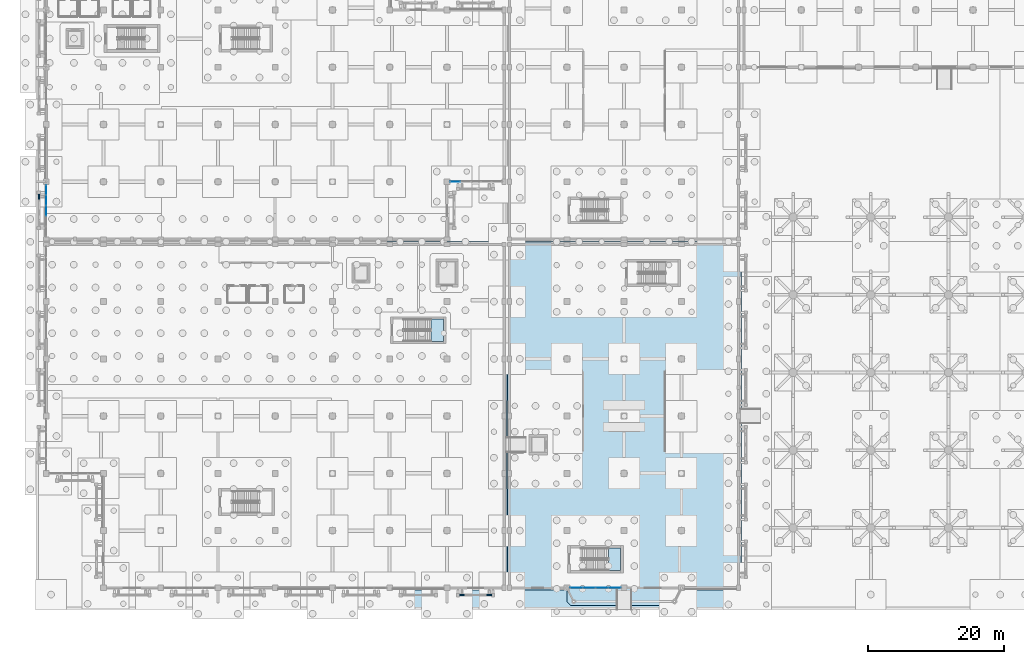
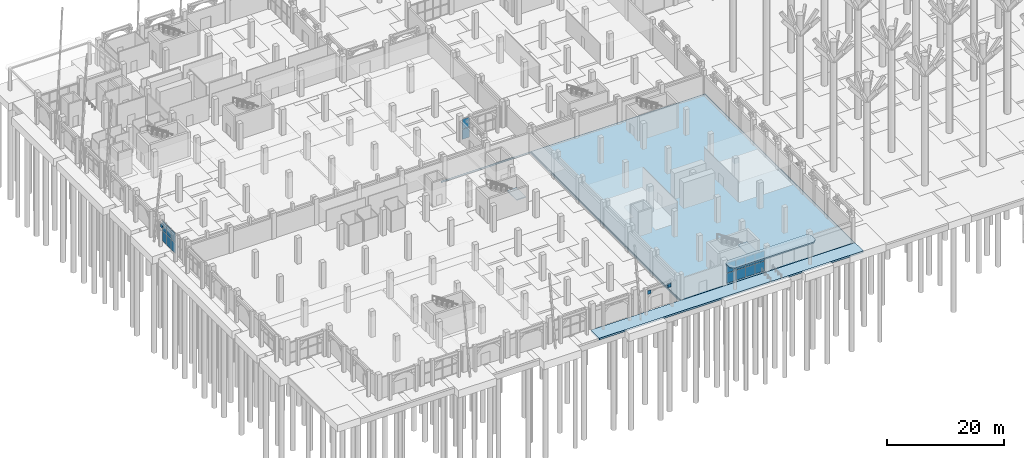
# One storey, part 51 of 98: 19 plates, 5 slabs, 5 elements without a shape of their own.
"""IFC4 building model written with IfcOpenShell, lengths in metres."""

from ifc_helpers import new_model, si_unit, direction, frame, origin, origin_2d, place, context, subcontext, project, spatial, polyline, rectangle, outline, extrude, material, layer, layer_set, type_object, element, aggregate, save


model = new_model("IFC4")

# Units and contexts
model_context = context("Model", 3, precision=1e-05, world=origin(), true_north=direction((0.0, 1.0)))
body_context = subcontext(model_context, "Body", "Model", "MODEL_VIEW")
ifc_project = project(units=[si_unit("LENGTHUNIT", "METRE"), si_unit("AREAUNIT", "SQUARE_METRE"), si_unit("VOLUMEUNIT", "CUBIC_METRE"), si_unit("PLANEANGLEUNIT", "RADIAN"), si_unit("MASSUNIT", "GRAM", prefix="KILO")], contexts=[model_context])

# Site, building, storey
site_placement = place(None, origin())
site = spatial("IfcSite", under=ifc_project, at=site_placement, CompositionType="ELEMENT")
building_placement = place(site_placement, origin())
building = spatial("IfcBuilding", under=site, at=building_placement, Name="Xazarin Passage Department Store", CompositionType="ELEMENT")
storey_placement = place(building_placement, origin())
storey = spatial("IfcBuildingStorey", under=building, at=storey_placement, Name="L00", CompositionType="ELEMENT", Elevation=0.0)

# Curtain wall, plates
ifc_material_1 = material(Name="Bronze anodised aluminium", Category="aluminium")
ifc_layer_1 = layer(ifc_material_1, 0.159912109375)
ifc_layer_set_1 = layer_set([ifc_layer_1], Name="Bronze anodised aluminium")
curtain_wall_type_1 = type_object("IfcCurtainWallType", Name="ARC-CW-ARC1", PredefinedType="NOTDEFINED", material=ifc_layer_set_1)
curtain_wall_1_placement = place(storey_placement, origin())
curtain_wall_1 = element("IfcCurtainWall", 1, at=curtain_wall_1_placement, inside=storey, type_object=curtain_wall_type_1, Name="L00 V2S Curtain Wall 099", PredefinedType="NOTDEFINED")
ifc_material_2 = material(Name="Low-E laminated safety glass", Category="glass")
ifc_layer_2 = layer(ifc_material_2, 0.028076171875)
ifc_layer_set_2 = layer_set([ifc_layer_2], Name="Low-E laminated safety glass")
plate_type_1 = type_object("IfcPlateType", Name="ARC-CWP-GLZ28", PredefinedType="CURTAIN_PANEL", material=ifc_layer_set_2)
plate_1_placement = place(storey_placement, frame((77.784912109375, 0.0, 0.06494140625), z_axis=(0.0, 0.0, 1.0), x_axis=(1.0, 0.0, 0.0)))
plate_1 = element("IfcPlate", 2, at=plate_1_placement, type_object=plate_type_1, Name="CW3 panel 1.1", PredefinedType="CURTAIN_PANEL", context=body_context, shape_type="SweptSolid", body=[
    extrude(rectangle(XDim=1.7900390625, YDim=0.028076171875, at=origin_2d()), origin(), (0.0, 0.0, 1.0), 2.077392578125),
])
plate_2_placement = place(storey_placement, frame((77.784912109375, 0.0, 2.20751953125), z_axis=(0.0, 0.0, 1.0), x_axis=(1.0, 0.0, 0.0)))
plate_2 = element("IfcPlate", 3, at=plate_2_placement, type_object=plate_type_1, Name="CW3 panel 1.2", PredefinedType="CURTAIN_PANEL", context=body_context, shape_type="SweptSolid", body=[
    extrude(rectangle(XDim=1.7900390625, YDim=0.028076171875, at=origin_2d()), origin(), (0.0, 0.0, 1.0), 2.077392578125),
])
plate_3_placement = place(storey_placement, frame((79.65625, 0.0, 0.06494140625), z_axis=(0.0, 0.0, 1.0), x_axis=(1.0, 0.0, 0.0)))
plate_3 = element("IfcPlate", 4, at=plate_3_placement, type_object=plate_type_1, Name="CW3 panel 2.1", PredefinedType="CURTAIN_PANEL", context=body_context, shape_type="SweptSolid", body=[
    extrude(rectangle(XDim=1.822509765625, YDim=0.028076171875, at=origin_2d()), origin(), (0.0, 0.0, 1.0), 2.077392578125),
])
plate_4_placement = place(storey_placement, frame((79.65625, 0.0, 2.20751953125), z_axis=(0.0, 0.0, 1.0), x_axis=(1.0, 0.0, 0.0)))
plate_4 = element("IfcPlate", 5, at=plate_4_placement, type_object=plate_type_1, Name="CW3 panel 2.2", PredefinedType="CURTAIN_PANEL", context=body_context, shape_type="SweptSolid", body=[
    extrude(rectangle(XDim=1.822509765625, YDim=0.028076171875, at=origin_2d()), origin(), (0.0, 0.0, 1.0), 2.077392578125),
])
plate_5_placement = place(storey_placement, frame((81.543701171875, 0.0, 0.06494140625), z_axis=(0.0, 0.0, 1.0), x_axis=(1.0, 0.0, 0.0)))
plate_5 = element("IfcPlate", 6, at=plate_5_placement, type_object=plate_type_1, Name="CW3 panel 3.1", PredefinedType="CURTAIN_PANEL", context=body_context, shape_type="SweptSolid", body=[
    extrude(rectangle(XDim=1.822509765625, YDim=0.028076171875, at=origin_2d()), origin(), (0.0, 0.0, 1.0), 2.077392578125),
])
plate_6_placement = place(storey_placement, frame((81.543701171875, 0.0, 2.20751953125), z_axis=(0.0, 0.0, 1.0), x_axis=(1.0, 0.0, 0.0)))
plate_6 = element("IfcPlate", 7, at=plate_6_placement, type_object=plate_type_1, Name="CW3 panel 3.2", PredefinedType="CURTAIN_PANEL", context=body_context, shape_type="SweptSolid", body=[
    extrude(rectangle(XDim=1.822509765625, YDim=0.028076171875, at=origin_2d()), origin(), (0.0, 0.0, 1.0), 2.077392578125),
])
plate_7_placement = place(storey_placement, frame((83.4150390625, 0.0, 0.06494140625), z_axis=(0.0, 0.0, 1.0), x_axis=(1.0, 0.0, 0.0)))
plate_7 = element("IfcPlate", 8, at=plate_7_placement, type_object=plate_type_1, Name="CW3 panel 4.1", PredefinedType="CURTAIN_PANEL", context=body_context, shape_type="SweptSolid", body=[
    extrude(rectangle(XDim=1.7900390625, YDim=0.028076171875, at=origin_2d()), origin(), (0.0, 0.0, 1.0), 2.077392578125),
])
plate_8_placement = place(storey_placement, frame((83.4150390625, 0.0, 2.20751953125), z_axis=(0.0, 0.0, 1.0), x_axis=(1.0, 0.0, 0.0)))
plate_8 = element("IfcPlate", 9, at=plate_8_placement, type_object=plate_type_1, Name="CW3 panel 4.2", PredefinedType="CURTAIN_PANEL", context=body_context, shape_type="SweptSolid", body=[
    extrude(rectangle(XDim=1.7900390625, YDim=0.028076171875, at=origin_2d()), origin(), (0.0, 0.0, 1.0), 2.077392578125),
])
aggregate(curtain_wall_1, [plate_1, plate_2, plate_3, plate_4, plate_5, plate_6, plate_7, plate_8])

ifc_layer_3 = layer(ifc_material_1, 0.179931640625)
ifc_layer_set_3 = layer_set([ifc_layer_3], Name="Bronze anodised aluminium")
curtain_wall_type_2 = type_object("IfcCurtainWallType", Name="ARC-CW-VIT1", PredefinedType="NOTDEFINED", material=ifc_layer_set_3)
curtain_wall_2_placement = place(storey_placement, origin())
curtain_wall_2 = element("IfcCurtainWall", 10, at=curtain_wall_2_placement, inside=storey, type_object=curtain_wall_type_2, Name="L00 V1 Curtain Wall 001", PredefinedType="NOTDEFINED")
ifc_layer_4 = layer(ifc_material_2, 0.031982421875)
ifc_layer_set_4 = layer_set([ifc_layer_4], Name="Low-E laminated safety glass")
plate_type_2 = type_object("IfcPlateType", Name="ARC-CWP-GLZ32", PredefinedType="CURTAIN_PANEL", material=ifc_layer_set_4)
plate_9_placement = place(storey_placement, frame((60.01123046875, 59.60009765625, 0.074951171875), z_axis=(0.0, 0.0, 1.0), x_axis=(1.0, 0.0, 0.0)))
plate_9 = element("IfcPlate", 11, at=plate_9_placement, type_object=plate_type_2, Name="CW1 panel 1.1", PredefinedType="CURTAIN_PANEL", context=body_context, shape_type="SweptSolid", body=[
    extrude(rectangle(XDim=1.422607421875, YDim=0.031982421875, at=origin_2d()), origin(), (0.0, 0.0, 1.0), 2.0625),
])
plate_10_placement = place(storey_placement, frame((60.01123046875, 59.60009765625, 2.21240234375), z_axis=(0.0, 0.0, 1.0), x_axis=(1.0, 0.0, 0.0)))
plate_10 = element("IfcPlate", 12, at=plate_10_placement, type_object=plate_type_2, Name="CW1 panel 1.2", PredefinedType="CURTAIN_PANEL", context=body_context, shape_type="SweptSolid", body=[
    extrude(rectangle(XDim=1.422607421875, YDim=0.031982421875, at=origin_2d()), origin(), (0.0, 0.0, 1.0), 2.0625),
])
aggregate(curtain_wall_2, [plate_9, plate_10])

curtain_wall_3_placement = place(storey_placement, origin())
curtain_wall_3 = element("IfcCurtainWall", 13, at=curtain_wall_3_placement, inside=storey, type_object=curtain_wall_type_2, Name="L00 V1 Curtain Wall 004", PredefinedType="NOTDEFINED")
plate_11_placement = place(storey_placement, frame((0.0, 55.33740234375, 0.074951171875), z_axis=(0.0, 0.0, 1.0), x_axis=(0.0, 1.0, 0.0)))
plate_11 = element("IfcPlate", 14, at=plate_11_placement, type_object=plate_type_2, Name="CW1 panel 3.1", PredefinedType="CURTAIN_PANEL", context=body_context, shape_type="SweptSolid", body=[
    extrude(rectangle(XDim=1.4599609375, YDim=0.031982421875, at=origin_2d()), origin(), (0.0, 0.0, 1.0), 2.0625),
])
plate_12_placement = place(storey_placement, frame((0.0, 55.33740234375, 2.21240234375), z_axis=(0.0, 0.0, 1.0), x_axis=(0.0, 1.0, 0.0)))
plate_12 = element("IfcPlate", 15, at=plate_12_placement, type_object=plate_type_2, Name="CW1 panel 3.2", PredefinedType="CURTAIN_PANEL", context=body_context, shape_type="SweptSolid", body=[
    extrude(rectangle(XDim=1.4599609375, YDim=0.031982421875, at=origin_2d()), origin(), (0.0, 0.0, 1.0), 2.0625),
])
plate_13_placement = place(storey_placement, frame((0.0, 56.87255859375, 0.074951171875), z_axis=(0.0, 0.0, 1.0), x_axis=(0.0, 1.0, 0.0)))
plate_13 = element("IfcPlate", 16, at=plate_13_placement, type_object=plate_type_2, Name="CW1 panel 4.1", PredefinedType="CURTAIN_PANEL", context=body_context, shape_type="SweptSolid", body=[
    extrude(rectangle(XDim=1.4599609375, YDim=0.031982421875, at=origin_2d()), origin(), (0.0, 0.0, 1.0), 2.0625),
])
plate_14_placement = place(storey_placement, frame((0.0, 56.87255859375, 2.21240234375), z_axis=(0.0, 0.0, 1.0), x_axis=(0.0, 1.0, 0.0)))
plate_14 = element("IfcPlate", 17, at=plate_14_placement, type_object=plate_type_2, Name="CW1 panel 4.2", PredefinedType="CURTAIN_PANEL", context=body_context, shape_type="SweptSolid", body=[
    extrude(rectangle(XDim=1.4599609375, YDim=0.031982421875, at=origin_2d()), origin(), (0.0, 0.0, 1.0), 2.0625),
])
plate_15_placement = place(storey_placement, frame((0.0, 58.388671875, 0.074951171875), z_axis=(0.0, 0.0, 1.0), x_axis=(0.0, 1.0, 0.0)))
plate_15 = element("IfcPlate", 18, at=plate_15_placement, type_object=plate_type_2, Name="CW1 panel 5.1", PredefinedType="CURTAIN_PANEL", context=body_context, shape_type="SweptSolid", body=[
    extrude(rectangle(XDim=1.422607421875, YDim=0.031982421875, at=origin_2d()), origin(), (0.0, 0.0, 1.0), 2.0625),
])
plate_16_placement = place(storey_placement, frame((0.0, 58.388671875, 2.21240234375), z_axis=(0.0, 0.0, 1.0), x_axis=(0.0, 1.0, 0.0)))
plate_16 = element("IfcPlate", 19, at=plate_16_placement, type_object=plate_type_2, Name="CW1 panel 5.2", PredefinedType="CURTAIN_PANEL", context=body_context, shape_type="SweptSolid", body=[
    extrude(rectangle(XDim=1.422607421875, YDim=0.031982421875, at=origin_2d()), origin(), (0.0, 0.0, 1.0), 2.0625),
])
aggregate(curtain_wall_3, [plate_11, plate_12, plate_13, plate_14, plate_15, plate_16])

# Plates
ifc_material_3 = material(Name="Precast concrete C40/50", Category="concrete")
ifc_layer_5 = layer(ifc_material_3, 0.199951171875)
ifc_layer_set_5 = layer_set([ifc_layer_5], Name="Precast concrete C40/50")
plate_type_3 = type_object("IfcPlateType", Name="ARC-PLT-SCR-13", PredefinedType="USERDEFINED", material=ifc_layer_set_5)
plate_17_placement = place(storey_placement, frame((-1.050048828125, 57.39990234375, 4.16015625), z_axis=(0.0, 0.0, 1.0), x_axis=(0.0, 1.0, 0.0)))
element("IfcPlate", 20, at=plate_17_placement, inside=storey, type_object=plate_type_3, Name="L00 V1 Arch Spandrel Tympanum 0074", ObjectType="SCREEN PANEL", PredefinedType="USERDEFINED", context=body_context, shape_type="SweptSolid", body=[
    extrude(rectangle(XDim=0.679931640625, YDim=0.199951171875, at=origin_2d()), origin(), (0.0, 0.0, 1.0), 0.719970703125),
])
ifc_layer_6 = layer(ifc_material_3, 0.219970703125)
ifc_layer_set_6 = layer_set([ifc_layer_6], Name="Precast concrete C40/50")
plate_type_4 = type_object("IfcPlateType", Name="ARC-PLT-SCR-15", PredefinedType="USERDEFINED", material=ifc_layer_set_6)
for number, where, z_axis, x_axis, name in (
    (21, (61.0, -1.050048828125, 4.16015625), (0.0, 0.0, 1.0), (1.0, 0.0, 0.0), "L00 V3 Arch Spandrel Tympanum 0255"),
    (22, (65.0, -1.050048828125, 4.16015625), (0.0, 0.0, 1.0), (1.0, 0.0, 0.0), "L00 V3 Arch Spandrel Tympanum 0256"),
):
    element("IfcPlate", number, at=place(storey_placement, frame(where, z_axis=z_axis, x_axis=x_axis)), inside=storey, type_object=plate_type_4, Name=name, ObjectType="SCREEN PANEL", PredefinedType="USERDEFINED", context=body_context, shape_type="SweptSolid", body=[
        extrude(rectangle(XDim=0.679931640625, YDim=0.219970703125, at=origin_2d()), origin(), (0.0, 0.0, 1.0), 0.719970703125),
    ])

# Slabs
ifc_material_4 = material(Name="Concrete C35/45", Category="concrete")
ifc_layer_7 = layer(ifc_material_4, 0.39990234375)
ifc_layer_set_7 = layer_set([ifc_layer_7], Name="Concrete C35/45")
slab_type_1 = type_object("IfcSlabType", Name="STR-SLB-BASE400", PredefinedType="BASESLAB", material=ifc_layer_set_7)
slab_1_placement = place(storey_placement, frame((0.0, 0.0, -0.39990234375)))
element("IfcSlab", 23, at=slab_1_placement, inside=storey, type_object=slab_type_1, Name="L00 V2S Structural Base Slab", PredefinedType="BASESLAB", context=body_context, shape_type="SweptSolid", body=[
    extrude(outline(polyline([(101.89990234375, 50.699951171875), (67.699951171875, 50.699951171875), (67.699951171875, -0.300048828125), (101.89990234375, -0.300048828125), (101.89990234375, 50.699951171875)])), origin(), (0.0, 0.0, 1.0), 0.39990234375),
])
ifc_material_5 = material(Name="Concrete C40/50", Category="concrete")
ifc_layer_8 = layer(ifc_material_5, 0.27001953125)
ifc_layer_set_8 = layer_set([ifc_layer_8], Name="Concrete C40/50")
slab_type_2 = type_object("IfcSlabType", Name="STR-SLB-CAN270", PredefinedType="ROOF", material=ifc_layer_set_8)
slab_2_placement = place(storey_placement, frame((0.0, 0.0, 4.530029296875)))
element("IfcSlab", 24, at=slab_2_placement, inside=storey, type_object=slab_type_2, Name="Entrance Canopy Slab CN2", PredefinedType="ROOF", context=body_context, shape_type="SweptSolid", body=[
    extrude(outline(polyline([(76.949951171875, -2.60009765625), (92.64990234375, -2.60009765625), (93.199951171875, -2.050048828125), (93.199951171875, -0.550048828125), (92.64990234375, 0.0), (76.949951171875, 0.0), (76.39990234375, -0.550048828125), (76.39990234375, -2.050048828125), (76.949951171875, -2.60009765625)])), origin(), (0.0, 0.0, 1.0), 0.27001953125),
])

# Stair, slab
stair_type = type_object("IfcStairType", Name="ARC-ST-L00", PredefinedType="HALF_TURN_STAIR", material=ifc_material_4)
stair_1_placement = place(storey_placement, origin())
stair_1 = element("IfcStair", 25, at=stair_1_placement, inside=storey, type_object=stair_type, Name="L00 Exit Stair ST4", PredefinedType="HALF_TURN_STAIR")
ifc_layer_9 = layer(ifc_material_4, 0.199951171875)
ifc_layer_set_9 = layer_set([ifc_layer_9], Name="Concrete C35/45")
slab_type_3 = type_object("IfcSlabType", Name="STR-SLB-LND200", PredefinedType="LANDING", material=ifc_layer_set_9)
slab_3_placement = place(storey_placement, frame((0.0, 0.0, 2.5)))
slab_3 = element("IfcSlab", 26, at=slab_3_placement, type_object=slab_type_3, Name="ST4 landing 1", PredefinedType="LANDING", context=body_context, shape_type="SweptSolid", body=[
    extrude(outline(polyline([(82.489990234375, 2.580078125), (84.300048828125, 2.580078125), (84.300048828125, 5.820068359375), (82.489990234375, 5.820068359375), (82.489990234375, 2.580078125)])), origin(), (0.0, 0.0, 1.0), 0.199951171875),
])
aggregate(stair_1, [slab_3])

stair_2_placement = place(storey_placement, origin())
stair_2 = element("IfcStair", 27, at=stair_2_placement, inside=storey, type_object=stair_type, Name="L00 Exit Stair ST9", PredefinedType="HALF_TURN_STAIR")
slab_4_placement = place(storey_placement, frame((0.0, 0.0, 2.5)))
slab_4 = element("IfcSlab", 28, at=slab_4_placement, type_object=slab_type_3, Name="ST9 landing 1", PredefinedType="LANDING", context=body_context, shape_type="SweptSolid", body=[
    extrude(outline(polyline([(56.489990234375, 36.179931640625), (58.300048828125, 36.179931640625), (58.300048828125, 39.419921875), (56.489990234375, 39.419921875), (56.489990234375, 36.179931640625)])), origin(), (0.0, 0.0, 1.0), 0.199951171875),
])
aggregate(stair_2, [slab_4])

# Slab
ifc_layer_10 = layer(ifc_material_4, 0.35009765625)
ifc_layer_set_10 = layer_set([ifc_layer_10], Name="Concrete C35/45")
slab_type_4 = type_object("IfcSlabType", Name="STR-SLB-PLZ350", PredefinedType="BASESLAB", material=ifc_layer_set_10)
slab_5_placement = place(storey_placement, frame((0.0, 0.0, -0.35009765625)))
element("IfcSlab", 29, at=slab_5_placement, inside=storey, type_object=slab_type_4, Name="L00 Open Trading Court Limestone Plaza Slab 03", PredefinedType="BASESLAB", context=body_context, shape_type="SweptSolid", body=[
    extrude(outline(polyline([(50.010009765625, -0.324951171875), (50.010009765625, -3.18994140625), (101.989990234375, -3.18994140625), (101.989990234375, 50.7900390625), (50.010009765625, 50.7900390625), (50.010009765625, 50.72509765625), (67.5, 50.72509765625), (67.50244140625, 50.724853515625), (67.5048828125, 50.724609375), (67.50732421875, 50.723876953125), (67.509521484375, 50.72314453125), (67.51171875, 50.721923828125), (67.513916015625, 50.720703125), (67.515869140625, 50.71923828125), (67.517578125, 50.7177734375), (67.519287109375, 50.7158203125), (67.520751953125, 50.7138671875), (67.52197265625, 50.7119140625), (67.523193359375, 50.709716796875), (67.52392578125, 50.707275390625), (67.5244140625, 50.704833984375), (67.52490234375, 50.702392578125), (67.52490234375, 50.699951171875), (67.52490234375, -0.300048828125), (67.52490234375, -0.302490234375), (67.5244140625, -0.304931640625), (67.52392578125, -0.307373046875), (67.523193359375, -0.3095703125), (67.52197265625, -0.311767578125), (67.520751953125, -0.31396484375), (67.519287109375, -0.31591796875), (67.517578125, -0.317626953125), (67.515869140625, -0.3193359375), (67.513916015625, -0.32080078125), (67.51171875, -0.322021484375), (67.509521484375, -0.322998046875), (67.50732421875, -0.323974609375), (67.5048828125, -0.324462890625), (67.50244140625, -0.324951171875), (67.5, -0.324951171875), (50.010009765625, -0.324951171875)]), holes=[polyline([(101.9248046875, -0.302490234375), (101.924560546875, -0.304931640625), (101.923828125, -0.307373046875), (101.923095703125, -0.3095703125), (101.922119140625, -0.311767578125), (101.9208984375, -0.31396484375), (101.919189453125, -0.31591796875), (101.917724609375, -0.317626953125), (101.916015625, -0.3193359375), (101.913818359375, -0.32080078125), (101.911865234375, -0.322021484375), (101.90966796875, -0.322998046875), (101.9072265625, -0.323974609375), (101.90478515625, -0.324462890625), (101.902587890625, -0.324951171875), (101.89990234375, -0.324951171875), (67.699951171875, -0.324951171875), (67.697509765625, -0.324951171875), (67.695068359375, -0.324462890625), (67.692626953125, -0.323974609375), (67.6904296875, -0.322998046875), (67.688232421875, -0.322021484375), (67.68603515625, -0.32080078125), (67.68408203125, -0.3193359375), (67.682373046875, -0.317626953125), (67.6806640625, -0.31591796875), (67.67919921875, -0.31396484375), (67.677978515625, -0.311767578125), (67.677001953125, -0.3095703125), (67.676025390625, -0.307373046875), (67.675537109375, -0.304931640625), (67.675048828125, -0.302490234375), (67.675048828125, -0.300048828125), (67.675048828125, 50.699951171875), (67.675048828125, 50.702392578125), (67.675537109375, 50.704833984375), (67.676025390625, 50.707275390625), (67.677001953125, 50.709716796875), (67.677978515625, 50.7119140625), (67.67919921875, 50.7138671875), (67.6806640625, 50.7158203125), (67.682373046875, 50.7177734375), (67.68408203125, 50.71923828125), (67.68603515625, 50.720703125), (67.688232421875, 50.721923828125), (67.6904296875, 50.72314453125), (67.692626953125, 50.723876953125), (67.695068359375, 50.724609375), (67.697509765625, 50.724853515625), (67.699951171875, 50.72509765625), (101.89990234375, 50.72509765625), (101.902587890625, 50.724853515625), (101.90478515625, 50.724609375), (101.9072265625, 50.723876953125), (101.90966796875, 50.72314453125), (101.911865234375, 50.721923828125), (101.913818359375, 50.720703125), (101.916015625, 50.71923828125), (101.917724609375, 50.7177734375), (101.919189453125, 50.7158203125), (101.9208984375, 50.7138671875), (101.922119140625, 50.7119140625), (101.923095703125, 50.709716796875), (101.923828125, 50.707275390625), (101.924560546875, 50.704833984375), (101.9248046875, 50.702392578125), (101.925048828125, 50.699951171875), (101.925048828125, -0.300048828125), (101.9248046875, -0.302490234375)])]), origin(), (0.0, 0.0, 1.0), 0.35009765625),
])

save(model, "model.ifc")
